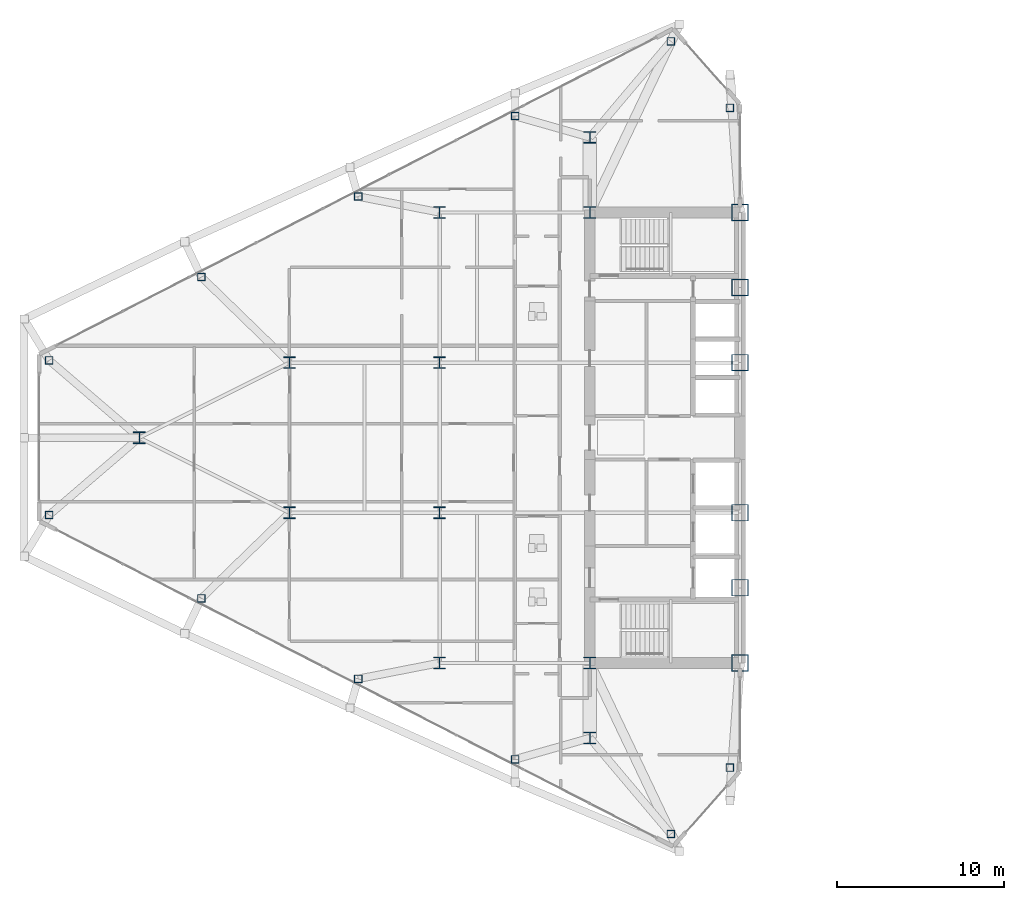
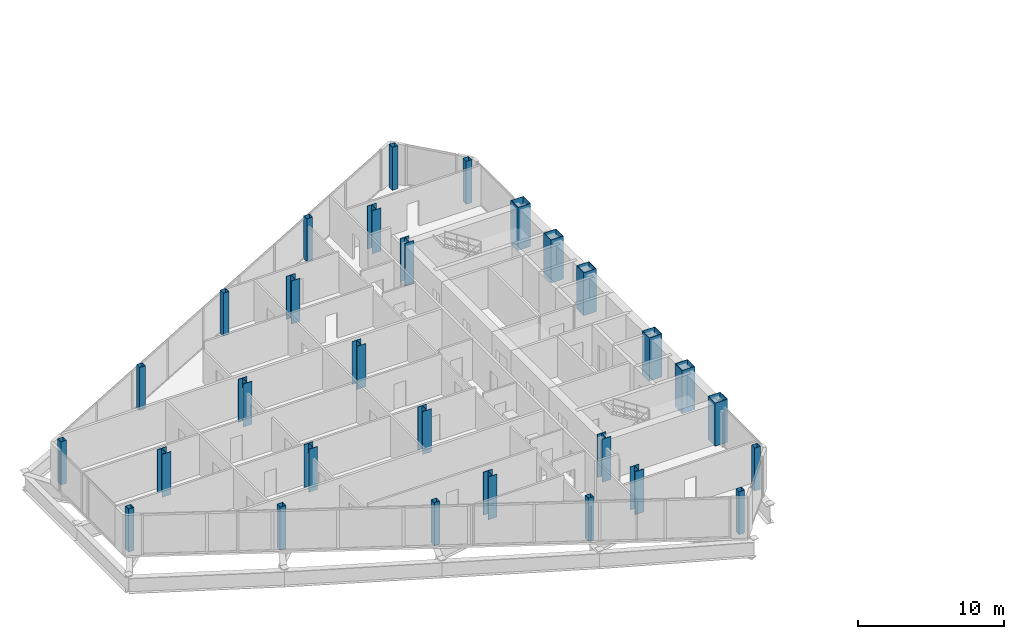
# One storey, part 1 of 28: 29 columns.
"""IFC4 building model written with IfcOpenShell, lengths in metres."""

from ifc_helpers import new_model, si_unit, direction, frame, origin, origin_2d, place, context, subcontext, project, spatial, hollow_rectangle, i_section, extrude, source, transform, mapped, material, material_profile, profile_set, type_object, type_shapes, element, save


model = new_model("IFC4")

# Units and contexts
model_context = context("Model", 3, precision=1e-05, world=origin(), true_north=direction((0.0, 1.0)))
body_context = subcontext(model_context, "Body", "Model", "MODEL_VIEW")
ifc_project = project(units=[si_unit("LENGTHUNIT", "METRE"), si_unit("AREAUNIT", "SQUARE_METRE"), si_unit("VOLUMEUNIT", "CUBIC_METRE"), si_unit("PLANEANGLEUNIT", "RADIAN"), si_unit("MASSUNIT", "GRAM", prefix="KILO")], contexts=[model_context])

# Site, building, storey
site_placement = place(None, origin())
site = spatial("IfcSite", under=ifc_project, at=site_placement, CompositionType="ELEMENT")
building_placement = place(site_placement, origin())
building = spatial("IfcBuilding", under=site, at=building_placement, Name="Seokmaru Belvedere", CompositionType="ELEMENT")
storey_placement = place(building_placement, frame((0.0, 0.0, 110.39990234375)))
storey = spatial("IfcBuildingStorey", under=building, at=storey_placement, Name="L29", CompositionType="ELEMENT", Elevation=110.39990234375)

# Columns
ifc_material_1 = material(Name="Steel HSA650 (650 MPa)", Category="steel")
ifc_material_profile_1 = material_profile(ifc_material_1, hollow_rectangle(XDim=1.0, YDim=1.0, WallThickness=0.0419921875, at=origin_2d()), Name="BOX-1000x1000x42")
ifc_profile_set_1 = profile_set([ifc_material_profile_1], Name="Steel HSA650 (650 MPa)")
column_type_1 = type_object("IfcColumnType", Name="Portal Spine Column BOX-1000", PredefinedType="COLUMN", material=ifc_profile_set_1)
shared_shape_1 = source(origin(), body_context, "Body", "SweptSolid", [
    extrude(hollow_rectangle(XDim=1.0, YDim=1.0, WallThickness=0.0419921875, at=origin_2d()), origin(), (0.0, 0.0, 1.0), 3.60009765625),
])
type_shapes(column_type_1, [shared_shape_1])
for number, where, z_axis, x_axis, name in (
    (1, (-27.5, -13.5, 0.0), (0.0, 0.0, 1.0), (1.0, 0.0, 0.0), "L29 Column WS1"),
    (2, (-27.5, -9.0, 0.0), (0.0, 0.0, 1.0), (1.0, 0.0, 0.0), "L29 Column WS2"),
    (3, (-27.5, -4.5, 0.0), (0.0, 0.0, 1.0), (1.0, 0.0, 0.0), "L29 Column WS3"),
    (4, (-27.5, 4.5, 0.0), (0.0, 0.0, 1.0), (1.0, 0.0, 0.0), "L29 Column WS4"),
    (5, (-27.5, 9.0, 0.0), (0.0, 0.0, 1.0), (1.0, 0.0, 0.0), "L29 Column WS5"),
    (6, (-27.5, 13.5, 0.0), (0.0, 0.0, 1.0), (1.0, 0.0, 0.0), "L29 Column WS6"),
):
    element("IfcColumn", number, at=place(storey_placement, frame(where, z_axis=z_axis, x_axis=x_axis)), inside=storey, type_object=column_type_1, Name=name, PredefinedType="COLUMN", context=body_context, shape_type="MappedRepresentation", body=[
        mapped(shared_shape_1, transform((0.0, 0.0, 0.0), scale=1.0)),
    ])
ifc_material_2 = material(Name="Steel SM355 (355 MPa)", Category="steel")
ifc_material_profile_2 = material_profile(ifc_material_2, i_section(OverallWidth=0.699951171875, OverallDepth=0.699951171875, WebThickness=0.028076171875, FlangeThickness=0.044921875, at=origin_2d()), Name="H-700x700x28x45")
ifc_profile_set_2 = profile_set([ifc_material_profile_2], Name="Steel SM355 (355 MPa)")
column_type_2 = type_object("IfcColumnType", Name="Mid Interior Column H-700", PredefinedType="COLUMN", material=ifc_profile_set_2)
shared_shape_2 = source(origin(), body_context, "Body", "SweptSolid", [
    extrude(i_section(OverallWidth=0.699951171875, OverallDepth=0.699951171875, WebThickness=0.028076171875, FlangeThickness=0.044921875, at=origin_2d()), origin(), (0.0, 0.0, 1.0), 3.60009765625),
])
type_shapes(column_type_2, [shared_shape_2])
for number, where, z_axis, x_axis, name in (
    (7, (-36.5, -18.0, 0.0), (0.0, 0.0, 1.0), (1.0, 0.0, 0.0), "L29 Column WC1"),
    (8, (-36.5, -13.5, 0.0), (0.0, 0.0, 1.0), (1.0, 0.0, 0.0), "L29 Column WC2"),
    (9, (-36.5, 13.5, 0.0), (0.0, 0.0, 1.0), (1.0, 0.0, 0.0), "L29 Column WC3"),
    (10, (-36.5, 18.0, 0.0), (0.0, 0.0, 1.0), (1.0, 0.0, 0.0), "L29 Column WC4"),
    (11, (-45.5, -13.5, 0.0), (0.0, 0.0, 1.0), (1.0, 0.0, 0.0), "L29 Column WG5_1"),
    (12, (-45.5, -4.5, 0.0), (0.0, 0.0, 1.0), (1.0, 0.0, 0.0), "L29 Column WG5_2"),
    (13, (-45.5, 4.5, 0.0), (0.0, 0.0, 1.0), (1.0, 0.0, 0.0), "L29 Column WG5_3"),
    (14, (-45.5, 13.5, 0.0), (0.0, 0.0, 1.0), (1.0, 0.0, 0.0), "L29 Column WG5_4"),
    (15, (-54.5, -4.5, 0.0), (0.0, 0.0, 1.0), (1.0, 0.0, 0.0), "L29 Column WG4P_1"),
    (16, (-54.5, 4.5, 0.0), (0.0, 0.0, 1.0), (1.0, 0.0, 0.0), "L29 Column WG4P_2"),
    (17, (-63.5, 0.0, 0.0), (0.0, 0.0, 1.0), (1.0, 0.0, 0.0), "L29 Column WG3P_1"),
):
    element("IfcColumn", number, at=place(storey_placement, frame(where, z_axis=z_axis, x_axis=x_axis)), inside=storey, type_object=column_type_2, Name=name, PredefinedType="COLUMN", context=body_context, shape_type="MappedRepresentation", body=[
        mapped(shared_shape_2, transform((0.0, 0.0, 0.0), scale=1.0)),
    ])
ifc_material_profile_3 = material_profile(ifc_material_2, hollow_rectangle(XDim=0.449951171875, YDim=0.449951171875, WallThickness=0.01806640625, at=origin_2d()), Name="HSS-450x450x18")
ifc_profile_set_3 = profile_set([ifc_material_profile_3], Name="Steel SM355 (355 MPa)")
column_type_3 = type_object("IfcColumnType", Name="Perimeter Facet Column HSS-450", PredefinedType="COLUMN", material=ifc_profile_set_3)
shared_shape_3 = source(origin(), body_context, "Body", "SweptSolid", [
    extrude(hollow_rectangle(XDim=0.449951171875, YDim=0.449951171875, WallThickness=0.01806640625, at=origin_2d()), origin(), (0.0, 0.0, 1.0), 3.60009765625),
])
type_shapes(column_type_3, [shared_shape_3])
for number, where, z_axis, x_axis, name in (
    (18, (-28.10009765625, -19.77197265625, 0.0), (0.0, 0.0, 1.0), (1.0, 0.0, 0.0), "L29 Column WF1"),
    (19, (-28.10009765625, 19.77197265625, 0.0), (0.0, 0.0, 1.0), (1.0, 0.0, 0.0), "L29 Column WF2"),
    (20, (-31.6396484375, 23.75390625, 0.0), (0.0, 0.0, 1.0), (1.0, 0.0, 0.0), "L29 Column WF3"),
    (21, (-68.89990234375, 4.633544921875, 0.0), (0.0, 0.0, 1.0), (1.0, 0.0, 0.0), "L29 Column WF4"),
    (22, (-68.89990234375, -4.633544921875, 0.0), (0.0, 0.0, 1.0), (1.0, 0.0, 0.0), "L29 Column WF5"),
    (23, (-31.6396484375, -23.75390625, 0.0), (0.0, 0.0, 1.0), (1.0, 0.0, 0.0), "L29 Column WF6"),
    (24, (-40.975830078125, -19.277587890625, 0.0), (0.0, 0.0, 1.0), (1.0, 0.0, 0.0), "L29 Column WFLK_S1"),
    (25, (-50.377197265625, -14.453369140625, 0.0), (0.0, 0.0, 1.0), (1.0, 0.0, 0.0), "L29 Column WFLK_S2"),
    (26, (-59.778564453125, -9.62890625, 0.0), (0.0, 0.0, 1.0), (1.0, 0.0, 0.0), "L29 Column WFLK_S3"),
    (27, (-40.975830078125, 19.277587890625, 0.0), (0.0, 0.0, 1.0), (1.0, 0.0, 0.0), "L29 Column WFLK_N1"),
    (28, (-50.377197265625, 14.453369140625, 0.0), (0.0, 0.0, 1.0), (1.0, 0.0, 0.0), "L29 Column WFLK_N2"),
    (29, (-59.778564453125, 9.62890625, 0.0), (0.0, 0.0, 1.0), (1.0, 0.0, 0.0), "L29 Column WFLK_N3"),
):
    element("IfcColumn", number, at=place(storey_placement, frame(where, z_axis=z_axis, x_axis=x_axis)), inside=storey, type_object=column_type_3, Name=name, PredefinedType="COLUMN", context=body_context, shape_type="MappedRepresentation", body=[
        mapped(shared_shape_3, transform((0.0, 0.0, 0.0), scale=1.0)),
    ])

save(model, "model.ifc")
